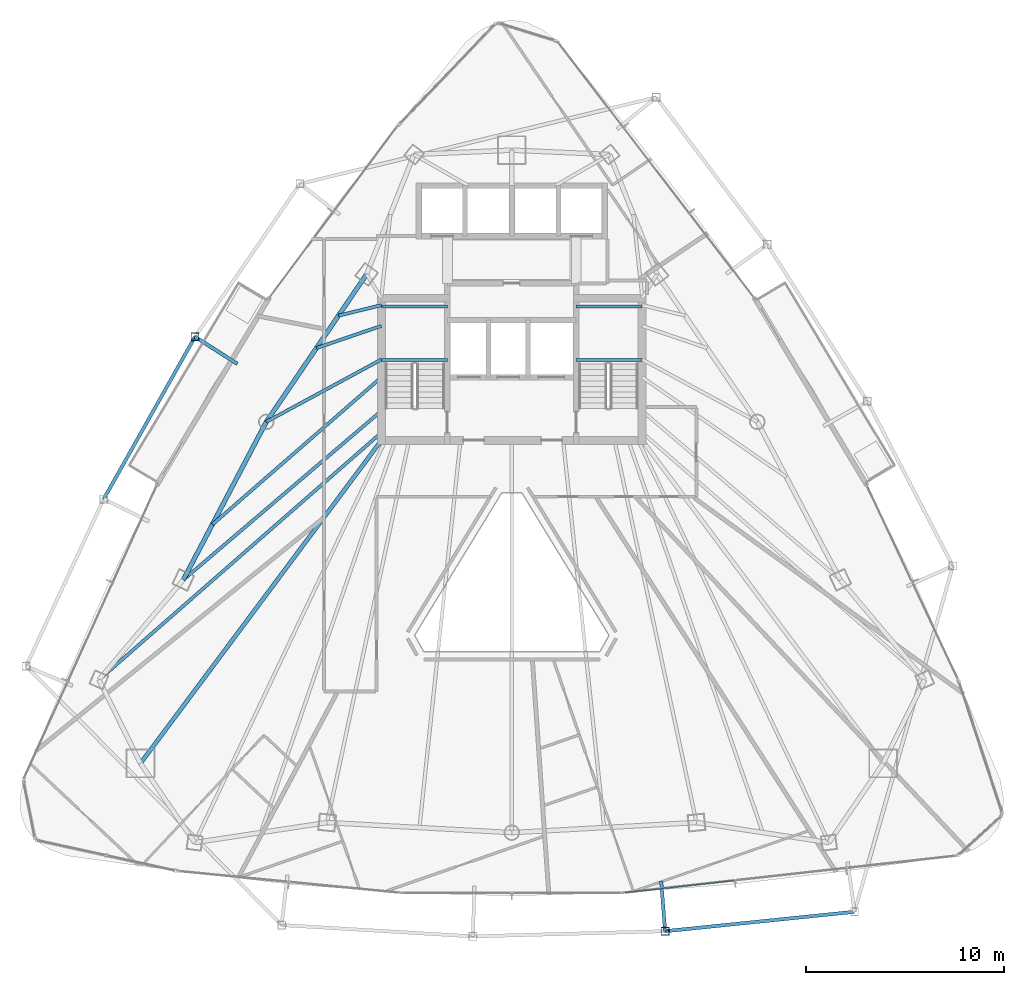
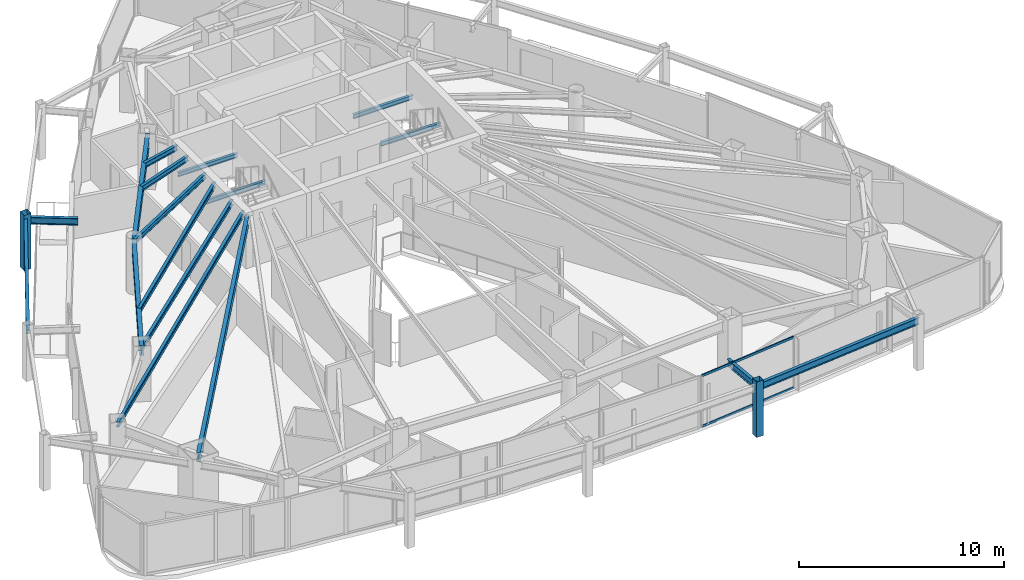
# One storey, part 11 of 29: 17 beams, 4 members, 1 element without a shape of its own.
"""IFC4 building model written with IfcOpenShell, lengths in metres."""

from ifc_helpers import new_model, si_unit, direction, frame, origin, origin_2d, place, context, subcontext, project, spatial, hollow_rectangle, i_section, extrude, material, layer, layer_set, material_profile, profile_set, type_object, element, aggregate, save


model = new_model("IFC4")

# Units and contexts
model_context = context("Model", 3, precision=1e-05, world=origin(), true_north=direction((0.0, 1.0)))
body_context = subcontext(model_context, "Body", "Model", "MODEL_VIEW")
ifc_project = project(units=[si_unit("LENGTHUNIT", "METRE"), si_unit("AREAUNIT", "SQUARE_METRE"), si_unit("VOLUMEUNIT", "CUBIC_METRE"), si_unit("PLANEANGLEUNIT", "RADIAN"), si_unit("MASSUNIT", "GRAM", prefix="KILO")], contexts=[model_context])

# Site, building, storey
site_placement = place(None, origin())
site = spatial("IfcSite", under=ifc_project, at=site_placement, CompositionType="ELEMENT")
building_placement = place(site_placement, origin())
building = spatial("IfcBuilding", under=site, at=building_placement, Name="Orvanel Arch Residences", CompositionType="ELEMENT")
storey_placement = place(building_placement, frame((0.0, 0.0, 163.85009765625)))
storey = spatial("IfcBuildingStorey", under=building, at=storey_placement, Name="L46", CompositionType="ELEMENT", Elevation=163.85009765625)

# Beams
ifc_material_1 = material(Name="Structural steel AS/NZS 3679.1 Grade 300 (300 MPa)", Category="steel")
ifc_material_profile_1 = material_profile(ifc_material_1, i_section(OverallWidth=0.208984375, OverallDepth=0.532958984375, WebThickness=0.01025390625, FlangeThickness=0.015625, at=origin_2d()), Name="530UB92.4")
ifc_profile_set_1 = profile_set([ifc_material_profile_1], Name="Structural steel AS/NZS 3679.1 Grade 300 (300 MPa)")
beam_type_1 = type_object("IfcBeamType", Name="BG-530UB", PredefinedType="BEAM", material=ifc_profile_set_1)
beam_1_placement = place(storey_placement, frame((26.375, 26.675048828125, 2.79296875), z_axis=(-0.597893733742, -0.801575375839, 0.0), x_axis=(0.801575375839, -0.597893733742, 0.0)))
element("IfcBeam", 1, at=beam_1_placement, inside=storey, type_object=beam_type_1, Name="L46 South-West Radial Girder", PredefinedType="BEAM", context=body_context, shape_type="SweptSolid", body=[
    extrude(i_section(OverallWidth=0.208984375, OverallDepth=0.532958984375, WebThickness=0.01025390625, FlangeThickness=0.015625, at=origin_2d()), origin(), (0.0, 0.0, 1.0), 20.36474609375),
])
ifc_material_profile_2 = material_profile(ifc_material_1, i_section(OverallWidth=0.14599609375, OverallDepth=0.251953125, WebThickness=0.006103515625, FlangeThickness=0.008544921875, at=origin_2d()), Name="250UB31.4")
ifc_profile_set_2 = profile_set([ifc_material_profile_2], Name="Structural steel AS/NZS 3679.1 Grade 300 (300 MPa)")
beam_type_2 = type_object("IfcBeamType", Name="BJ-250UB", PredefinedType="JOIST", material=ifc_profile_set_2)
for number, where, z_axis, x_axis, name in (
    (2, (26.39990234375, 30.780029296875, 1.323974609375), (1.0, 0.0, 0.0), (0.0, 1.0, 0.0), "L46 ST-1 Half-Landing Support Beam 1.1"),
    (3, (26.39990234375, 33.47998046875, 1.323974609375), (1.0, 0.0, 0.0), (0.0, 1.0, 0.0), "L46 ST-1 Half-Landing Support Beam 1.2"),
    (4, (36.25, 30.780029296875, 1.323974609375), (1.0, 0.0, 0.0), (0.0, 1.0, 0.0), "L46 ST-2 Half-Landing Support Beam 1.1"),
    (5, (36.25, 33.47998046875, 1.323974609375), (1.0, 0.0, 0.0), (0.0, 1.0, 0.0), "L46 ST-2 Half-Landing Support Beam 1.2"),
):
    element("IfcBeam", number, at=place(storey_placement, frame(where, z_axis=z_axis, x_axis=x_axis)), inside=storey, type_object=beam_type_2, Name=name, PredefinedType="JOIST", context=body_context, shape_type="SweptSolid", body=[
        extrude(i_section(OverallWidth=0.14599609375, OverallDepth=0.251953125, WebThickness=0.006103515625, FlangeThickness=0.008544921875, at=origin_2d()), origin(), (0.0, 0.0, 1.0), 3.35009765625),
    ])
ifc_material_profile_3 = material_profile(ifc_material_1, i_section(OverallWidth=0.1650390625, OverallDepth=0.303955078125, WebThickness=0.006103515625, FlangeThickness=0.01025390625, at=origin_2d()), Name="310UB40.4")
ifc_profile_set_3 = profile_set([ifc_material_profile_3], Name="Structural steel AS/NZS 3679.1 Grade 300 (300 MPa)")
beam_type_3 = type_object("IfcBeamType", Name="BJ-310UB", PredefinedType="JOIST", material=ifc_profile_set_3)
beam_2_placement = place(storey_placement, frame((26.39990234375, 30.800048828125, 2.907958984375), z_axis=(-0.87925534649, -0.476350748576, 0.0), x_axis=(0.476350748576, -0.87925534649, 0.0)))
element("IfcBeam", 6, at=beam_2_placement, inside=storey, type_object=beam_type_3, Name="L46 NW Wing Floor Joist", PredefinedType="JOIST", context=body_context, shape_type="SweptSolid", body=[
    extrude(i_section(OverallWidth=0.1650390625, OverallDepth=0.303955078125, WebThickness=0.006103515625, FlangeThickness=0.01025390625, at=origin_2d()), origin(), (0.0, 0.0, 1.0), 6.631591796875),
])
beam_3_placement = place(storey_placement, frame((26.39990234375, 28.199951171875, 2.907958984375), z_axis=(-0.760821315761, -0.648961420644, 0.0), x_axis=(0.648961420644, -0.760821315761, 0.0)))
element("IfcBeam", 7, at=beam_3_placement, inside=storey, type_object=beam_type_3, Name="L46 W Wing Floor Joist", PredefinedType="JOIST", context=body_context, shape_type="SweptSolid", body=[
    extrude(i_section(OverallWidth=0.1650390625, OverallDepth=0.303955078125, WebThickness=0.006103515625, FlangeThickness=0.01025390625, at=origin_2d()), origin(), (0.0, 0.0, 1.0), 13.18701171875),
])
beam_4_placement = place(storey_placement, frame((26.39990234375, 32.5, 2.907958984375), z_axis=(-0.946441958332, -0.322873999431, 0.0), x_axis=(0.322873999431, -0.946441958332, 0.0)))
element("IfcBeam", 8, at=beam_4_placement, inside=storey, type_object=beam_type_3, Name="L46 WNW Wing Floor Joist", PredefinedType="JOIST", context=body_context, shape_type="SweptSolid", body=[
    extrude(i_section(OverallWidth=0.1650390625, OverallDepth=0.303955078125, WebThickness=0.006103515625, FlangeThickness=0.01025390625, at=origin_2d()), origin(), (0.0, 0.0, 1.0), 3.478271484375),
])
beam_5_placement = place(storey_placement, frame((26.39990234375, 27.10009765625, 2.907958984375), z_axis=(-0.752493154183, -0.658600070534, 0.0), x_axis=(0.658600070534, -0.752493154183, 0.0)))
element("IfcBeam", 9, at=beam_5_placement, inside=storey, type_object=beam_type_3, Name="L46 MW Wing Floor Joist", PredefinedType="JOIST", context=body_context, shape_type="SweptSolid", body=[
    extrude(i_section(OverallWidth=0.1650390625, OverallDepth=0.303955078125, WebThickness=0.006103515625, FlangeThickness=0.01025390625, at=origin_2d()), origin(), (0.0, 0.0, 1.0), 19.010009765625),
])
beam_6_placement = place(storey_placement, frame((26.39990234375, 29.89990234375, 2.907958984375), z_axis=(-0.754047930849, -0.656819395254, 0.0), x_axis=(0.656819395254, -0.754047930849, 0.0)))
element("IfcBeam", 10, at=beam_6_placement, inside=storey, type_object=beam_type_3, Name="L46 CTW Wing Floor Joist", PredefinedType="JOIST", context=body_context, shape_type="SweptSolid", body=[
    extrude(i_section(OverallWidth=0.1650390625, OverallDepth=0.303955078125, WebThickness=0.006103515625, FlangeThickness=0.01025390625, at=origin_2d()), origin(), (0.0, 0.0, 1.0), 11.354736328125),
])
beam_7_placement = place(storey_placement, frame((26.39990234375, 33.550048828125, 2.907958984375), z_axis=(-0.971638471014, -0.236471312521, 0.0), x_axis=(0.236471312521, -0.971638471014, 0.0)))
element("IfcBeam", 11, at=beam_7_placement, inside=storey, type_object=beam_type_3, Name="L46 JADD3 Wing Floor Joist", PredefinedType="JOIST", context=body_context, shape_type="SweptSolid", body=[
    extrude(i_section(OverallWidth=0.1650390625, OverallDepth=0.303955078125, WebThickness=0.006103515625, FlangeThickness=0.01025390625, at=origin_2d()), origin(), (0.0, 0.0, 1.0), 2.2373046875),
])
ifc_material_profile_4 = material_profile(ifc_material_1, i_section(OverallWidth=0.177978515625, OverallDepth=0.406005859375, WebThickness=0.0078125, FlangeThickness=0.0126953125, at=origin_2d()), Name="410UB59.7")
ifc_profile_set_4 = profile_set([ifc_material_profile_4], Name="Structural steel AS/NZS 3679.1 Grade 300 (300 MPa)")
beam_type_4 = type_object("IfcBeamType", Name="OB-410UB-EXT", PredefinedType="SPANDREL", material=ifc_profile_set_4)
beam_8_placement = place(storey_placement, frame((19.10791015625, 30.573974609375, 2.85693359375), z_axis=(-0.842500784335, 0.538695116364, 0.0), x_axis=(-0.538695116364, -0.842500784335, 0.0)))
element("IfcBeam", 12, at=beam_8_placement, inside=storey, type_object=beam_type_4, Name="L46 Outer Frame Radial Tie Beam 02", PredefinedType="SPANDREL", context=body_context, shape_type="SweptSolid", body=[
    extrude(i_section(OverallWidth=0.177978515625, OverallDepth=0.406005859375, WebThickness=0.0078125, FlangeThickness=0.0126953125, at=origin_2d()), origin(), (0.0, 0.0, 1.0), 2.550537109375),
])
beam_9_placement = place(storey_placement, frame((16.958984375, 31.947998046875, 2.85693359375), z_axis=(-0.490269847932, -0.8715706949, 0.0), x_axis=(0.8715706949, -0.490269847932, 0.0)))
element("IfcBeam", 13, at=beam_9_placement, inside=storey, type_object=beam_type_4, Name="L46 Outer Perimeter Floor Ring Beam 02", PredefinedType="SPANDREL", context=body_context, shape_type="SweptSolid", body=[
    extrude(i_section(OverallWidth=0.177978515625, OverallDepth=0.406005859375, WebThickness=0.0078125, FlangeThickness=0.0126953125, at=origin_2d()), origin(), (0.0, 0.0, 1.0), 9.425537109375),
])
beam_10_placement = place(storey_placement, frame((40.56298828125, 4.39501953125, 2.85693359375), z_axis=(0.078036368424, -0.996950512916, 0.0), x_axis=(0.996950512916, 0.078036368424, 0.0)))
element("IfcBeam", 14, at=beam_10_placement, inside=storey, type_object=beam_type_4, Name="L46 Outer Frame Radial Tie Beam 07", PredefinedType="SPANDREL", context=body_context, shape_type="SweptSolid", body=[
    extrude(i_section(OverallWidth=0.177978515625, OverallDepth=0.406005859375, WebThickness=0.0078125, FlangeThickness=0.0126953125, at=origin_2d()), origin(), (0.0, 0.0, 1.0), 2.5498046875),
])
beam_11_placement = place(storey_placement, frame((40.761962890625, 1.85302734375, 2.85693359375), z_axis=(0.994800006325, 0.101847667696, 0.0), x_axis=(-0.101847667696, 0.994800006325, 0.0)))
element("IfcBeam", 15, at=beam_11_placement, inside=storey, type_object=beam_type_4, Name="L46 Outer Perimeter Floor Ring Beam 07", PredefinedType="SPANDREL", context=body_context, shape_type="SweptSolid", body=[
    extrude(i_section(OverallWidth=0.177978515625, OverallDepth=0.406005859375, WebThickness=0.0078125, FlangeThickness=0.0126953125, at=origin_2d()), origin(), (0.0, 0.0, 1.0), 9.64111328125),
])
ifc_material_profile_5 = material_profile(ifc_material_1, i_section(OverallWidth=0.22900390625, OverallDepth=0.612060546875, WebThickness=0.011962890625, FlangeThickness=0.01953125, at=origin_2d()), Name="610UB125")
ifc_profile_set_5 = profile_set([ifc_material_profile_5], Name="Structural steel AS/NZS 3679.1 Grade 300 (300 MPa)")
beam_type_5 = type_object("IfcBeamType", Name="SP-610UB", PredefinedType="SPANDREL", material=ifc_profile_set_5)
beam_12_placement = place(storey_placement, frame((25.64794921875, 35.113037109375, 2.75390625), z_axis=(-0.562154793153, -0.827032035978, 0.0), x_axis=(0.827032035978, -0.562154793153, 0.0)))
element("IfcBeam", 16, at=beam_12_placement, inside=storey, type_object=beam_type_5, Name="L46 Perimeter Spandrel Beam 17", PredefinedType="SPANDREL", context=body_context, shape_type="SweptSolid", body=[
    extrude(i_section(OverallWidth=0.22900390625, OverallDepth=0.612060546875, WebThickness=0.011962890625, FlangeThickness=0.01953125, at=origin_2d()), origin(), (0.0, 0.0, 1.0), 9.03466796875),
])
beam_13_placement = place(storey_placement, frame((20.569091796875, 27.64111328125, 2.75390625), z_axis=(-0.465064762793, -0.885276660942, 0.0), x_axis=(0.885276660942, -0.465064762793, 0.0)))
element("IfcBeam", 17, at=beam_13_placement, inside=storey, type_object=beam_type_5, Name="L46 Perimeter Spandrel Beam 18", PredefinedType="SPANDREL", context=body_context, shape_type="SweptSolid", body=[
    extrude(i_section(OverallWidth=0.22900390625, OverallDepth=0.612060546875, WebThickness=0.011962890625, FlangeThickness=0.01953125, at=origin_2d()), origin(), (0.0, 0.0, 1.0), 9.03564453125),
])

# Members
ifc_material_2 = material(Name="Structural steel AS/NZS 1163 C450L0 (Grade 450)", Category="steel")
ifc_material_profile_6 = material_profile(ifc_material_2, hollow_rectangle(XDim=0.39990234375, YDim=0.39990234375, WallThickness=0.01611328125, at=origin_2d()), Name="SHS400x400x16")
ifc_profile_set_6 = profile_set([ifc_material_profile_6], Name="Structural steel AS/NZS 1163 C450L0 (Grade 450)")
member_type_1 = type_object("IfcMemberType", Name="ST-400SHS-EXT", PredefinedType="STRUT", material=ifc_profile_set_6)
for number, where, z_axis, x_axis, name in (
    (18, (16.958984375, 31.947998046875, 0.0), (0.0, 0.0, 1.0), (1.0, 0.0, 0.0), "L46 Outer Perimeter Frame Post 02"),
    (19, (40.761962890625, 1.85302734375, 0.0), (0.0, 0.0, 1.0), (1.0, 0.0, 0.0), "L46 Outer Perimeter Frame Post 07"),
):
    element("IfcMember", number, at=place(storey_placement, frame(where, z_axis=z_axis, x_axis=x_axis)), inside=storey, type_object=member_type_1, Name=name, PredefinedType="STRUT", context=body_context, shape_type="SweptSolid", body=[
        extrude(hollow_rectangle(XDim=0.39990234375, YDim=0.39990234375, WallThickness=0.01611328125, at=origin_2d()), origin(), (0.0, 0.0, 1.0), 3.2998046875),
    ])

# Curtain wall, members
ifc_material_3 = material(Name="Bronze-anodised aluminium AA6063-T6", Category="aluminium")
ifc_layer = layer(ifc_material_3, 0.179931640625)
ifc_layer_set = layer_set([ifc_layer], Name="Bronze-anodised aluminium AA6063-T6")
curtain_wall_type = type_object("IfcCurtainWallType", Name="CW3-MID-SYS", PredefinedType="NOTDEFINED", material=ifc_layer_set)
curtain_wall_placement = place(storey_placement, origin())
curtain_wall = element("IfcCurtainWall", 20, at=curtain_wall_placement, inside=storey, type_object=curtain_wall_type, Name="L46 CW3-MID-SYS Unitised Curtain Wall", PredefinedType="NOTDEFINED")
ifc_material_profile_7 = material_profile(ifc_material_3, hollow_rectangle(XDim=0.06005859375, YDim=0.135009765625, WallThickness=0.00390625, at=origin_2d()), Name="ALU135x60x4")
ifc_profile_set_7 = profile_set([ifc_material_profile_7], Name="Bronze-anodised aluminium AA6063-T6")
member_type_2 = type_object("IfcMemberType", Name="TRN-135x60", PredefinedType="USERDEFINED", material=ifc_profile_set_7)
member_1_placement = place(storey_placement, frame((38.73046875, 3.802734375, 0.02978515625), z_axis=(0.993863897635, 0.110609913558, 0.0), x_axis=(-0.110609913558, 0.993863897635, 0.0)))
member_1 = element("IfcMember", 21, at=member_1_placement, type_object=member_type_2, Name="CW-S3 transom 1.1", ObjectType="TRANSOM", PredefinedType="USERDEFINED", context=body_context, shape_type="SweptSolid", body=[
    extrude(hollow_rectangle(XDim=0.06005859375, YDim=0.135009765625, WallThickness=0.00390625, at=origin_2d()), origin(), (0.0, 0.0, 1.0), 5.557861328125),
])
member_2_placement = place(storey_placement, frame((38.73046875, 3.802734375, 3.02978515625), z_axis=(0.993863897635, 0.110609913558, 0.0), x_axis=(-0.110609913558, 0.993863897635, 0.0)))
member_2 = element("IfcMember", 22, at=member_2_placement, type_object=member_type_2, Name="CW-S3 transom 1.2", ObjectType="TRANSOM", PredefinedType="USERDEFINED", context=body_context, shape_type="SweptSolid", body=[
    extrude(hollow_rectangle(XDim=0.06005859375, YDim=0.135009765625, WallThickness=0.00390625, at=origin_2d()), origin(), (0.0, 0.0, 1.0), 5.557861328125),
])
aggregate(curtain_wall, [member_1, member_2])

save(model, "model.ifc")
